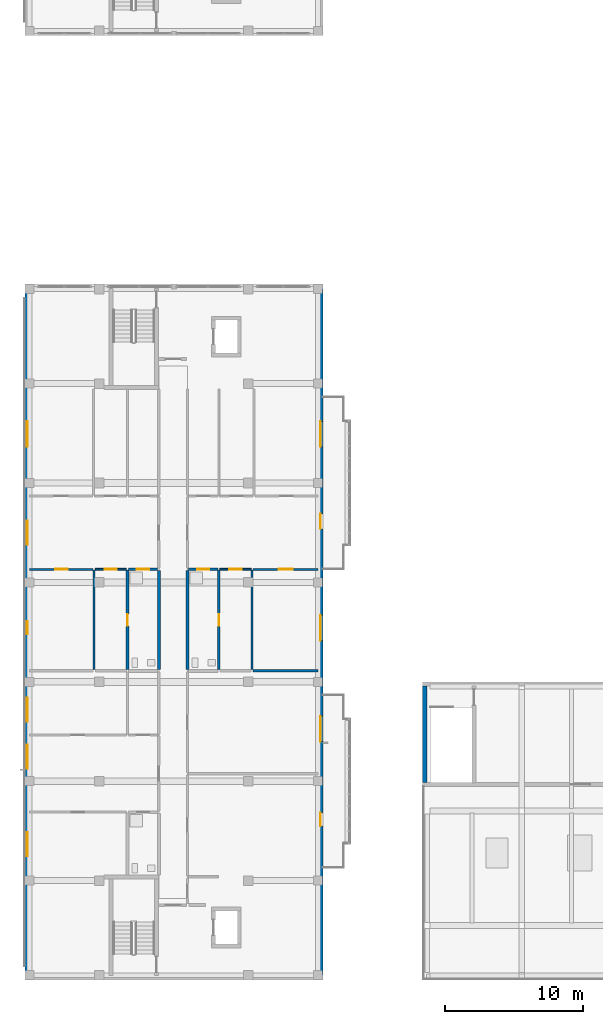
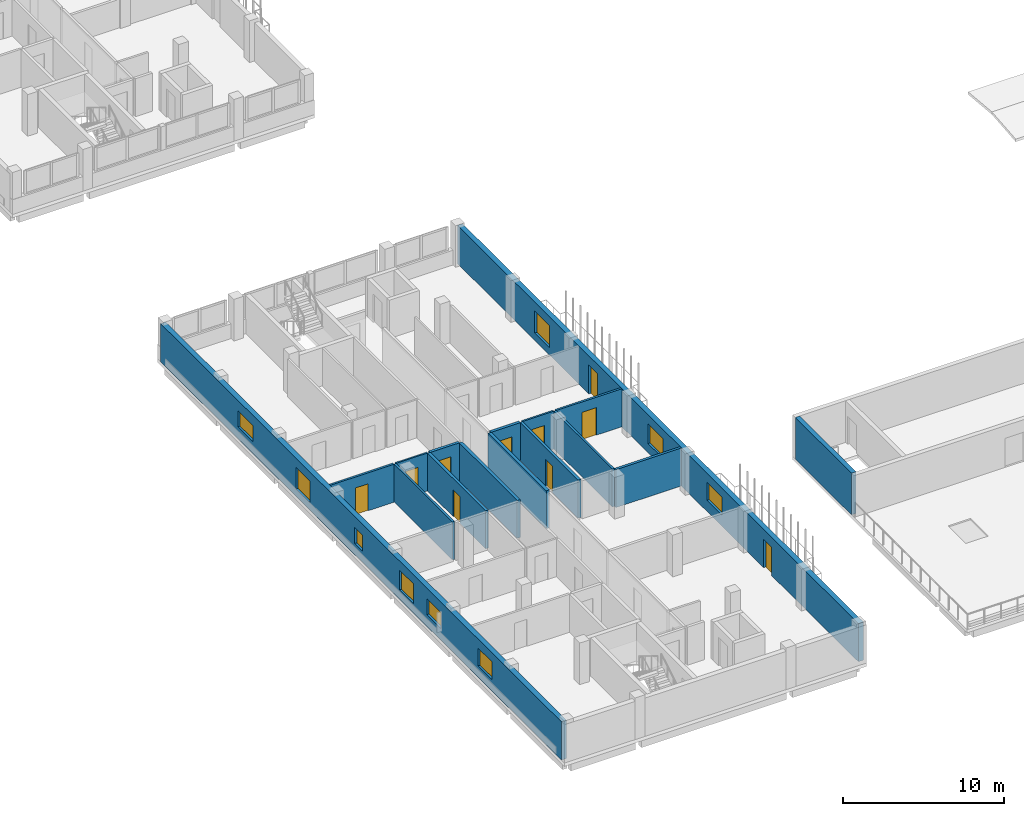
# One storey, part 26 of 56: 16 walls, 10 doors, 9 windows, 19 openings.
"""IFC4 building model written with IfcOpenShell, lengths in metres."""

from ifc_helpers import new_model, si_unit, derived_unit, direction, frame, frame_2d, origin, place, context, subcontext, project, spatial, rectangle, extrude, material, layer, layer_set, type_object, element, fill, save


model = new_model("IFC4")

# Units and contexts
model_context = context("Model", 3, precision=1e-05, world=origin(), true_north=direction((0.0, 1.0)))
body_context = subcontext(model_context, "Body", "Model", "MODEL_VIEW")
ifc_project = project(units=[si_unit("LENGTHUNIT", "METRE"), si_unit("AREAUNIT", "SQUARE_METRE"), si_unit("VOLUMEUNIT", "CUBIC_METRE"), si_unit("PLANEANGLEUNIT", "RADIAN"), si_unit("MASSUNIT", "GRAM", prefix="KILO"), derived_unit("THERMALTRANSMITTANCEUNIT", [(si_unit("MASSUNIT", "GRAM", prefix="KILO"), 1), (si_unit("TIMEUNIT", "SECOND"), -3), (si_unit("THERMODYNAMICTEMPERATUREUNIT", "KELVIN"), -1)])], contexts=[model_context])

# Site, building, storey
site_placement = place(None, origin())
site = spatial("IfcSite", under=ifc_project, at=site_placement, CompositionType="ELEMENT")
building_placement = place(site_placement, origin())
building = spatial("IfcBuilding", under=site, at=building_placement, Name="Ochrekiln Boulevard Commons", CompositionType="ELEMENT")
storey_placement = place(building_placement, frame((0.0, 0.0, 12.074951171875)))
storey = spatial("IfcBuildingStorey", under=building, at=storey_placement, Name="L03", CompositionType="ELEMENT", Elevation=12.074951171875)

# Wall, openings, windows
ifc_material_1 = material(Name="Iron-spot brown clinker brick masonry ASTM C216 Grade SW", Category="masonry")
ifc_layer_1 = layer(ifc_material_1, 0.364990234375)
ifc_layer_set_1 = layer_set([ifc_layer_1], Name="Iron-spot brown clinker brick masonry ASTM C216 Grade SW")
wall_type_1 = type_object("IfcWallType", Name="WL-EXT-IRON-365", PredefinedType="SOLIDWALL", material=ifc_layer_set_1)
wall_1_placement = place(storey_placement, frame((0.1826171875, 0.364990234375, 0.0), z_axis=(0.0, 0.0, 1.0), x_axis=(0.0, 1.0, 0.0)))
wall_1 = element("IfcWall", 1, at=wall_1_placement, inside=storey, type_object=wall_type_1, Name="Block D L03 W Exterior Wall", PredefinedType="SOLIDWALL", context=body_context, shape_type="SweptSolid", body=[
    extrude(rectangle(XDim=49.669921875, YDim=0.364990234375, at=frame_2d((24.8349609375, 0.0))), origin(), (0.0, 0.0, 1.0), 2.89013671875),
])
opening_1_placement = place(wall_1_placement, frame((14.93994140625, 0.0, 0.89990234375)))
opening_1 = element("IfcOpeningElement", 2, at=opening_1_placement, cuts=wall_1, Name="Opening W-36", PredefinedType="OPENING", context=body_context, shape_type="SweptSolid", body=[
    extrude(rectangle(XDim=1.719970703125, YDim=1.199951171875, at=frame_2d((0.85986328125, 0.60009765625))), frame((0.0, 0.1923828125, 0.0), z_axis=(0.0, -1.0, 0.0), x_axis=(1.0, 0.0, 0.0)), (0.0, 0.0, 1.0), 0.385009765625),
])
opening_2_placement = place(wall_1_placement, frame((8.612060546875, 0.0, 0.85498046875)))
opening_2 = element("IfcOpeningElement", 3, at=opening_2_placement, cuts=wall_1, Name="Opening W-37", PredefinedType="OPENING", context=body_context, shape_type="SweptSolid", body=[
    extrude(rectangle(XDim=1.719970703125, YDim=1.35009765625, at=frame_2d((0.85986328125, 0.675048828125))), frame((0.0, 0.1923828125, 0.0), z_axis=(0.0, -1.0, 0.0), x_axis=(1.0, 0.0, 0.0)), (0.0, 0.0, 1.0), 0.385009765625),
])
opening_3_placement = place(wall_1_placement, frame((18.35009765625, 0.0, 0.705078125)))
opening_3 = element("IfcOpeningElement", 4, at=opening_3_placement, cuts=wall_1, Name="Opening W-38", PredefinedType="OPENING", context=body_context, shape_type="SweptSolid", body=[
    extrude(rectangle(XDim=1.719970703125, YDim=1.5, at=frame_2d((0.85986328125, 0.75))), frame((0.0, 0.1923828125, 0.0), z_axis=(0.0, -1.0, 0.0), x_axis=(1.0, 0.0, 0.0)), (0.0, 0.0, 1.0), 0.385009765625),
])
opening_4_placement = place(wall_1_placement, frame((31.175048828125, 0.0, 0.554931640625)))
opening_4 = element("IfcOpeningElement", 5, at=opening_4_placement, cuts=wall_1, Name="Opening W-39", PredefinedType="OPENING", context=body_context, shape_type="SweptSolid", body=[
    extrude(rectangle(XDim=1.719970703125, YDim=1.64990234375, at=frame_2d((0.85986328125, 0.824951171875))), frame((0.0, 0.1923828125, 0.0), z_axis=(0.0, -1.0, 0.0), x_axis=(1.0, 0.0, 0.0)), (0.0, 0.0, 1.0), 0.385009765625),
])
opening_5_placement = place(wall_1_placement, frame((24.662109375, 0.0, 0.85009765625)))
opening_5 = element("IfcOpeningElement", 6, at=opening_5_placement, cuts=wall_1, Name="Opening W-01", PredefinedType="OPENING", context=body_context, shape_type="SweptSolid", body=[
    extrude(rectangle(XDim=0.949951171875, YDim=1.199951171875, at=frame_2d((0.47509765625, 0.60009765625))), frame((0.0, 0.1923828125, 0.0), z_axis=(0.0, -1.0, 0.0), x_axis=(1.0, 0.0, 0.0)), (0.0, 0.0, 1.0), 0.385009765625),
])
opening_6_placement = place(wall_1_placement, frame((38.2451171875, 0.0, 0.89990234375)))
opening_6 = element("IfcOpeningElement", 7, at=opening_6_placement, cuts=wall_1, Name="Opening W-41", PredefinedType="OPENING", context=body_context, shape_type="SweptSolid", body=[
    extrude(rectangle(XDim=1.85009765625, YDim=1.199951171875, at=frame_2d((0.925048828125, 0.60009765625))), frame((0.0, 0.1923828125, 0.0), z_axis=(0.0, -1.0, 0.0), x_axis=(1.0, 0.0, 0.0)), (0.0, 0.0, 1.0), 0.385009765625),
])
ifc_material_2 = material(Name="Thermally broken aluminium-clad oak frame", Category="aluminium")
window_type_1 = type_object("IfcWindowType", Name="WIN-EXT-01", PartitioningType="SINGLE_PANEL", PredefinedType="WINDOW", material=ifc_material_2)
window_1_placement = place(opening_5_placement, origin())
window_1 = element("IfcWindow", 8, at=window_1_placement, inside=storey, type_object=window_type_1, Name="Block D L03 Punched Masonry Window W-01", OverallHeight=1.199951171875, OverallWidth=0.949951171875, PartitioningType="SINGLE_PANEL", PredefinedType="WINDOW", context=body_context, shape_type="SweptSolid", body=[
    extrude(rectangle(XDim=0.949951171875, YDim=1.199951171875, at=frame_2d((0.47509765625, 0.60009765625))), frame((0.0, 0.030029296875, 0.0), z_axis=(0.0, -1.0, 0.0), x_axis=(1.0, 0.0, 0.0)), (0.0, 0.0, 1.0), 0.06005859375),
])
fill(opening_5, window_1)
window_type_2 = type_object("IfcWindowType", Name="WIN-EXT-36", PartitioningType="DOUBLE_PANEL_VERTICAL", PredefinedType="WINDOW", material=ifc_material_2)
window_2_placement = place(opening_1_placement, origin())
window_2 = element("IfcWindow", 9, at=window_2_placement, inside=storey, type_object=window_type_2, Name="Block D L03 Punched Masonry Window W-36", OverallHeight=1.199951171875, OverallWidth=1.719970703125, PartitioningType="DOUBLE_PANEL_VERTICAL", PredefinedType="WINDOW", context=body_context, shape_type="SweptSolid", body=[
    extrude(rectangle(XDim=1.719970703125, YDim=1.199951171875, at=frame_2d((0.85986328125, 0.60009765625))), frame((0.0, 0.030029296875, 0.0), z_axis=(0.0, -1.0, 0.0), x_axis=(1.0, 0.0, 0.0)), (0.0, 0.0, 1.0), 0.06005859375),
])
fill(opening_1, window_2)
window_type_3 = type_object("IfcWindowType", Name="WIN-EXT-37", PartitioningType="DOUBLE_PANEL_VERTICAL", PredefinedType="WINDOW", material=ifc_material_2)
window_3_placement = place(opening_2_placement, origin())
window_3 = element("IfcWindow", 10, at=window_3_placement, inside=storey, type_object=window_type_3, Name="Block D L03 Punched Masonry Window W-37", OverallHeight=1.35009765625, OverallWidth=1.719970703125, PartitioningType="DOUBLE_PANEL_VERTICAL", PredefinedType="WINDOW", context=body_context, shape_type="SweptSolid", body=[
    extrude(rectangle(XDim=1.719970703125, YDim=1.35009765625, at=frame_2d((0.85986328125, 0.675048828125))), frame((0.0, 0.030029296875, 0.0), z_axis=(0.0, -1.0, 0.0), x_axis=(1.0, 0.0, 0.0)), (0.0, 0.0, 1.0), 0.06005859375),
])
fill(opening_2, window_3)
window_type_4 = type_object("IfcWindowType", Name="WIN-EXT-38", PartitioningType="DOUBLE_PANEL_VERTICAL", PredefinedType="WINDOW", material=ifc_material_2)
window_4_placement = place(opening_3_placement, origin())
window_4 = element("IfcWindow", 11, at=window_4_placement, inside=storey, type_object=window_type_4, Name="Block D L03 Punched Masonry Window W-38", OverallHeight=1.5, OverallWidth=1.719970703125, PartitioningType="DOUBLE_PANEL_VERTICAL", PredefinedType="WINDOW", context=body_context, shape_type="SweptSolid", body=[
    extrude(rectangle(XDim=1.719970703125, YDim=1.5, at=frame_2d((0.85986328125, 0.75))), frame((0.0, 0.030029296875, 0.0), z_axis=(0.0, -1.0, 0.0), x_axis=(1.0, 0.0, 0.0)), (0.0, 0.0, 1.0), 0.06005859375),
])
fill(opening_3, window_4)
window_type_5 = type_object("IfcWindowType", Name="WIN-EXT-39", PartitioningType="DOUBLE_PANEL_VERTICAL", PredefinedType="WINDOW", material=ifc_material_2)
window_5_placement = place(opening_4_placement, origin())
window_5 = element("IfcWindow", 12, at=window_5_placement, inside=storey, type_object=window_type_5, Name="Block D L03 Punched Masonry Window W-39", OverallHeight=1.64990234375, OverallWidth=1.719970703125, PartitioningType="DOUBLE_PANEL_VERTICAL", PredefinedType="WINDOW", context=body_context, shape_type="SweptSolid", body=[
    extrude(rectangle(XDim=1.719970703125, YDim=1.64990234375, at=frame_2d((0.85986328125, 0.824951171875))), frame((0.0, 0.030029296875, 0.0), z_axis=(0.0, -1.0, 0.0), x_axis=(1.0, 0.0, 0.0)), (0.0, 0.0, 1.0), 0.06005859375),
])
fill(opening_4, window_5)
window_type_6 = type_object("IfcWindowType", Name="WIN-EXT-41", PartitioningType="DOUBLE_PANEL_VERTICAL", PredefinedType="WINDOW", material=ifc_material_2)
window_6_placement = place(opening_6_placement, origin())
window_6 = element("IfcWindow", 13, at=window_6_placement, inside=storey, type_object=window_type_6, Name="Block D L03 Punched Masonry Window W-41", OverallHeight=1.199951171875, OverallWidth=1.85009765625, PartitioningType="DOUBLE_PANEL_VERTICAL", PredefinedType="WINDOW", context=body_context, shape_type="SweptSolid", body=[
    extrude(rectangle(XDim=1.85009765625, YDim=1.199951171875, at=frame_2d((0.925048828125, 0.60009765625))), frame((0.0, 0.030029296875, 0.0), z_axis=(0.0, -1.0, 0.0), x_axis=(1.0, 0.0, 0.0)), (0.0, 0.0, 1.0), 0.06005859375),
])
fill(opening_6, window_6)

# Wall, openings, doors, windows
wall_2_placement = place(storey_placement, frame((21.41748046875, 0.364990234375, 0.0), z_axis=(0.0, 0.0, 1.0), x_axis=(0.0, 1.0, 0.0)))
wall_2 = element("IfcWall", 14, at=wall_2_placement, inside=storey, type_object=wall_type_1, Name="Block D L03 E Exterior Wall", PredefinedType="SOLIDWALL", context=body_context, shape_type="SweptSolid", body=[
    extrude(rectangle(XDim=49.669921875, YDim=0.364990234375, at=frame_2d((24.8349609375, 0.0))), origin(), (0.0, 0.0, 1.0), 2.89013671875),
])
opening_7_placement = place(wall_2_placement, frame((10.784912109375, 0.0, 0.0)))
opening_7 = element("IfcOpeningElement", 15, at=opening_7_placement, cuts=wall_2, Name="Opening D-L03-BL043", PredefinedType="OPENING", context=body_context, shape_type="SweptSolid", body=[
    extrude(rectangle(XDim=0.949951171875, YDim=2.14990234375, at=frame_2d((0.47509765625, 1.074951171875))), frame((0.0, 0.1923828125, 0.0), z_axis=(0.0, -1.0, 0.0), x_axis=(1.0, 0.0, 0.0)), (0.0, 0.0, 1.0), 0.385009765625),
])
opening_8_placement = place(wall_2_placement, frame((16.89306640625, 0.0, 0.85498046875)))
opening_8 = element("IfcOpeningElement", 16, at=opening_8_placement, cuts=wall_2, Name="Opening W-42", PredefinedType="OPENING", context=body_context, shape_type="SweptSolid", body=[
    extrude(rectangle(XDim=1.85009765625, YDim=1.35009765625, at=frame_2d((0.925048828125, 0.675048828125))), frame((0.0, 0.1923828125, 0.0), z_axis=(0.0, -1.0, 0.0), x_axis=(1.0, 0.0, 0.0)), (0.0, 0.0, 1.0), 0.385009765625),
])
opening_9_placement = place(wall_2_placement, frame((32.320068359375, 0.0, 0.0)))
opening_9 = element("IfcOpeningElement", 17, at=opening_9_placement, cuts=wall_2, Name="Opening D-L03-BL044", PredefinedType="OPENING", context=body_context, shape_type="SweptSolid", body=[
    extrude(rectangle(XDim=1.080078125, YDim=2.179931640625, at=frame_2d((0.5400390625, 1.08984375))), frame((0.0, 0.1923828125, 0.0), z_axis=(0.0, -1.0, 0.0), x_axis=(1.0, 0.0, 0.0)), (0.0, 0.0, 1.0), 0.385009765625),
])
opening_10_placement = place(wall_2_placement, frame((24.2119140625, 0.0, 0.705078125)))
opening_10 = element("IfcOpeningElement", 18, at=opening_10_placement, cuts=wall_2, Name="Opening W-43", PredefinedType="OPENING", context=body_context, shape_type="SweptSolid", body=[
    extrude(rectangle(XDim=1.85009765625, YDim=1.5, at=frame_2d((0.925048828125, 0.75))), frame((0.0, 0.1923828125, 0.0), z_axis=(0.0, -1.0, 0.0), x_axis=(1.0, 0.0, 0.0)), (0.0, 0.0, 1.0), 0.385009765625),
])
opening_11_placement = place(wall_2_placement, frame((38.2451171875, 0.0, 0.554931640625)))
opening_11 = element("IfcOpeningElement", 19, at=opening_11_placement, cuts=wall_2, Name="Opening W-44", PredefinedType="OPENING", context=body_context, shape_type="SweptSolid", body=[
    extrude(rectangle(XDim=1.85009765625, YDim=1.64990234375, at=frame_2d((0.925048828125, 0.824951171875))), frame((0.0, 0.1923828125, 0.0), z_axis=(0.0, -1.0, 0.0), x_axis=(1.0, 0.0, 0.0)), (0.0, 0.0, 1.0), 0.385009765625),
])
door_type_1 = type_object("IfcDoorType", Name="DR-EXT-BAL-095", OperationType="NOTDEFINED", PredefinedType="DOOR", material=ifc_material_2)
door_1_placement = place(opening_7_placement, frame((0.949951171875, 0.0, 0.0), z_axis=(0.0, 0.0, 1.0), x_axis=(-1.0, 0.0, 0.0)))
door_1 = element("IfcDoor", 20, at=door_1_placement, inside=storey, type_object=door_type_1, Name="Block D L03 Glazed Balcony Patio Door", OperationType="SINGLE_SWING_RIGHT", OverallHeight=2.14990234375, OverallWidth=0.949951171875, PredefinedType="DOOR", context=body_context, shape_type="SweptSolid", body=[
    extrude(rectangle(XDim=0.949951171875, YDim=2.14990234375, at=frame_2d((0.47509765625, 1.074951171875))), frame((0.0, 0.02490234375, 0.0), z_axis=(0.0, -1.0, 0.0), x_axis=(1.0, 0.0, 0.0)), (0.0, 0.0, 1.0), 0.050048828125),
])
fill(opening_7, door_1)
door_type_2 = type_object("IfcDoorType", Name="DR-EXT-BAL-108", OperationType="NOTDEFINED", PredefinedType="DOOR", material=ifc_material_2)
door_2_placement = place(opening_9_placement, frame((1.080078125, 0.0, 0.0), z_axis=(0.0, 0.0, 1.0), x_axis=(-1.0, 0.0, 0.0)))
door_2 = element("IfcDoor", 21, at=door_2_placement, inside=storey, type_object=door_type_2, Name="Block D L03 Glazed Balcony Patio Door", OperationType="SINGLE_SWING_LEFT", OverallHeight=2.179931640625, OverallWidth=1.080078125, PredefinedType="DOOR", context=body_context, shape_type="SweptSolid", body=[
    extrude(rectangle(XDim=1.080078125, YDim=2.179931640625, at=frame_2d((0.5400390625, 1.08984375))), frame((0.0, 0.02490234375, 0.0), z_axis=(0.0, -1.0, 0.0), x_axis=(1.0, 0.0, 0.0)), (0.0, 0.0, 1.0), 0.050048828125),
])
fill(opening_9, door_2)
window_type_7 = type_object("IfcWindowType", Name="WIN-EXT-42", PartitioningType="DOUBLE_PANEL_VERTICAL", PredefinedType="WINDOW", material=ifc_material_2)
window_7_placement = place(opening_8_placement, origin())
window_7 = element("IfcWindow", 22, at=window_7_placement, inside=storey, type_object=window_type_7, Name="Block D L03 Punched Masonry Window W-42", OverallHeight=1.35009765625, OverallWidth=1.85009765625, PartitioningType="DOUBLE_PANEL_VERTICAL", PredefinedType="WINDOW", context=body_context, shape_type="SweptSolid", body=[
    extrude(rectangle(XDim=1.85009765625, YDim=1.35009765625, at=frame_2d((0.925048828125, 0.675048828125))), frame((0.0, 0.030029296875, 0.0), z_axis=(0.0, -1.0, 0.0), x_axis=(1.0, 0.0, 0.0)), (0.0, 0.0, 1.0), 0.06005859375),
])
fill(opening_8, window_7)
window_type_8 = type_object("IfcWindowType", Name="WIN-EXT-43", PartitioningType="DOUBLE_PANEL_VERTICAL", PredefinedType="WINDOW", material=ifc_material_2)
window_8_placement = place(opening_10_placement, origin())
window_8 = element("IfcWindow", 23, at=window_8_placement, inside=storey, type_object=window_type_8, Name="Block D L03 Punched Masonry Window W-43", OverallHeight=1.5, OverallWidth=1.85009765625, PartitioningType="DOUBLE_PANEL_VERTICAL", PredefinedType="WINDOW", context=body_context, shape_type="SweptSolid", body=[
    extrude(rectangle(XDim=1.85009765625, YDim=1.5, at=frame_2d((0.925048828125, 0.75))), frame((0.0, 0.030029296875, 0.0), z_axis=(0.0, -1.0, 0.0), x_axis=(1.0, 0.0, 0.0)), (0.0, 0.0, 1.0), 0.06005859375),
])
fill(opening_10, window_8)
window_type_9 = type_object("IfcWindowType", Name="WIN-EXT-44", PartitioningType="DOUBLE_PANEL_VERTICAL", PredefinedType="WINDOW", material=ifc_material_2)
window_9_placement = place(opening_11_placement, origin())
window_9 = element("IfcWindow", 24, at=window_9_placement, inside=storey, type_object=window_type_9, Name="Block D L03 Punched Masonry Window W-44", OverallHeight=1.64990234375, OverallWidth=1.85009765625, PartitioningType="DOUBLE_PANEL_VERTICAL", PredefinedType="WINDOW", context=body_context, shape_type="SweptSolid", body=[
    extrude(rectangle(XDim=1.85009765625, YDim=1.64990234375, at=frame_2d((0.925048828125, 0.824951171875))), frame((0.0, 0.030029296875, 0.0), z_axis=(0.0, -1.0, 0.0), x_axis=(1.0, 0.0, 0.0)), (0.0, 0.0, 1.0), 0.06005859375),
])
fill(opening_11, window_9)

# Wall
ifc_material_3 = material(Name="Desert ochre clinker brick masonry ASTM C216 Grade SW", Category="masonry")
ifc_layer_2 = layer(ifc_material_3, 0.320068359375)
ifc_layer_set_2 = layer_set([ifc_layer_2], Name="Desert ochre clinker brick masonry ASTM C216 Grade SW")
wall_type_2 = type_object("IfcWallType", Name="WL-EXT-OCHRE-320", PredefinedType="SOLIDWALL", material=ifc_layer_set_2)
wall_3_placement = place(storey_placement, frame((28.9599609375, 14.320068359375, 0.0), z_axis=(0.0, 0.0, 1.0), x_axis=(0.0, 1.0, 0.0)))
element("IfcWall", 25, at=wall_3_placement, inside=storey, type_object=wall_type_2, Name="West Boulevard Arcade L03 Roof Pavilion W Exterior Wall", PredefinedType="SOLIDWALL", context=body_context, shape_type="SweptSolid", body=[
    extrude(rectangle(XDim=6.9599609375, YDim=0.320068359375, at=frame_2d((3.47998046875, 0.0))), origin(), (0.0, 0.0, 1.0), 3.150146484375),
])

# Wall, opening, door
ifc_material_4 = material(Name="Moisture-resistant cementitious tile backer wall")
ifc_layer_3 = layer(ifc_material_4, 0.199951171875)
ifc_layer_set_3 = layer_set([ifc_layer_3], Name="Moisture-resistant cementitious tile backer wall")
wall_type_3 = type_object("IfcWallType", Name="WL-PLM-200", PredefinedType="PLUMBINGWALL", material=ifc_layer_set_3)
wall_4_placement = place(storey_placement, frame((7.52001953125, 29.75, 0.0), z_axis=(0.0, 0.0, 1.0), x_axis=(1.0, 0.0, 0.0)))
wall_4 = element("IfcWall", 26, at=wall_4_placement, inside=storey, type_object=wall_type_3, Name="L03 Interior Wall W-PW200", PredefinedType="PLUMBINGWALL", context=body_context, shape_type="SweptSolid", body=[
    extrude(rectangle(XDim=2.10791015625, YDim=0.199951171875, at=frame_2d((1.053955078125, 0.0))), origin(), (0.0, 0.0, 1.0), 2.8701171875),
])
opening_12_placement = place(wall_4_placement, frame((0.60498046875, 0.0, 0.0)))
opening_12 = element("IfcOpeningElement", 27, at=opening_12_placement, cuts=wall_4, Name="Opening D-L03-541", PredefinedType="OPENING", context=body_context, shape_type="SweptSolid", body=[
    extrude(rectangle(XDim=0.889892578125, YDim=2.030029296875, at=frame_2d((0.44482421875, 1.01513671875))), frame((0.0, 0.10986328125, 0.0), z_axis=(0.0, -1.0, 0.0), x_axis=(1.0, 0.0, 0.0)), (0.0, 0.0, 1.0), 0.219970703125),
])
ifc_material_5 = material(Name="Solid core architectural oak door leaf")
door_type_3 = type_object("IfcDoorType", Name="DR-INT-BTH-089", OperationType="NOTDEFINED", PredefinedType="DOOR", material=ifc_material_5)
door_3_placement = place(opening_12_placement, frame((0.889892578125, 0.0, 0.0), z_axis=(0.0, 0.0, 1.0), x_axis=(-1.0, 0.0, 0.0)))
door_3 = element("IfcDoor", 28, at=door_3_placement, inside=storey, type_object=door_type_3, Name="L03 Interior Door to Apartment Bathroom", OperationType="SINGLE_SWING_LEFT", OverallHeight=2.030029296875, OverallWidth=0.889892578125, PredefinedType="DOOR", context=body_context, shape_type="SweptSolid", body=[
    extrude(rectangle(XDim=0.889892578125, YDim=2.030029296875, at=frame_2d((0.44482421875, 1.01513671875))), frame((0.0, 0.02490234375, 0.0), z_axis=(0.0, -1.0, 0.0), x_axis=(1.0, 0.0, 0.0)), (0.0, 0.0, 1.0), 0.050048828125),
])
fill(opening_12, door_3)

wall_5_placement = place(storey_placement, frame((7.43994140625, 22.47412109375, 0.0), z_axis=(0.0, 0.0, 1.0), x_axis=(0.0, 1.0, 0.0)))
wall_5 = element("IfcWall", 29, at=wall_5_placement, inside=storey, type_object=wall_type_3, Name="L03 Interior Wall W-PW200", PredefinedType="PLUMBINGWALL", context=body_context, shape_type="SweptSolid", body=[
    extrude(rectangle(XDim=7.2158203125, YDim=0.199951171875, at=frame_2d((3.60791015625, 0.0))), origin(), (0.0, 0.0, 1.0), 2.8701171875),
])
opening_13_placement = place(wall_5_placement, frame((3.173095703125, 0.0, 0.0)))
opening_13 = element("IfcOpeningElement", 30, at=opening_13_placement, cuts=wall_5, Name="Opening D-L03-547", PredefinedType="OPENING", context=body_context, shape_type="SweptSolid", body=[
    extrude(rectangle(XDim=0.85009765625, YDim=2.010009765625, at=frame_2d((0.425048828125, 1.0048828125))), frame((0.0, 0.10986328125, 0.0), z_axis=(0.0, -1.0, 0.0), x_axis=(1.0, 0.0, 0.0)), (0.0, 0.0, 1.0), 0.219970703125),
])
door_type_4 = type_object("IfcDoorType", Name="DR-INT-KIT-085", OperationType="NOTDEFINED", PredefinedType="DOOR", material=ifc_material_5)
door_4_placement = place(opening_13_placement, frame((0.85009765625, 0.0, 0.0), z_axis=(0.0, 0.0, 1.0), x_axis=(-1.0, 0.0, 0.0)))
door_4 = element("IfcDoor", 31, at=door_4_placement, inside=storey, type_object=door_type_4, Name="L03 Interior Door to Apartment Bathroom", OperationType="SINGLE_SWING_LEFT", OverallHeight=2.010009765625, OverallWidth=0.85009765625, PredefinedType="DOOR", context=body_context, shape_type="SweptSolid", body=[
    extrude(rectangle(XDim=0.85009765625, YDim=2.010009765625, at=frame_2d((0.425048828125, 1.0048828125))), frame((0.0, 0.02490234375, 0.0), z_axis=(0.0, -1.0, 0.0), x_axis=(1.0, 0.0, 0.0)), (0.0, 0.0, 1.0), 0.050048828125),
])
fill(opening_13, door_4)

wall_6_placement = place(storey_placement, frame((11.8720703125, 29.75, 0.0), z_axis=(0.0, 0.0, 1.0), x_axis=(1.0, 0.0, 0.0)))
wall_6 = element("IfcWall", 32, at=wall_6_placement, inside=storey, type_object=wall_type_3, Name="L03 Interior Wall W-PW200", PredefinedType="PLUMBINGWALL", context=body_context, shape_type="SweptSolid", body=[
    extrude(rectangle(XDim=2.10791015625, YDim=0.199951171875, at=frame_2d((1.053955078125, 0.0))), origin(), (0.0, 0.0, 1.0), 2.8701171875),
])
opening_14_placement = place(wall_6_placement, frame((0.6279296875, 0.0, 0.0)))
opening_14 = element("IfcOpeningElement", 33, at=opening_14_placement, cuts=wall_6, Name="Opening D-L03-548", PredefinedType="OPENING", context=body_context, shape_type="SweptSolid", body=[
    extrude(rectangle(XDim=0.860107421875, YDim=2.0, at=frame_2d((0.43017578125, 1.0))), frame((0.0, 0.10986328125, 0.0), z_axis=(0.0, -1.0, 0.0), x_axis=(1.0, 0.0, 0.0)), (0.0, 0.0, 1.0), 0.219970703125),
])
door_type_5 = type_object("IfcDoorType", Name="DR-INT-BTH-086", OperationType="NOTDEFINED", PredefinedType="DOOR", material=ifc_material_5)
door_5_placement = place(opening_14_placement, frame((0.860107421875, 0.0, 0.0), z_axis=(0.0, 0.0, 1.0), x_axis=(-1.0, 0.0, 0.0)))
door_5 = element("IfcDoor", 34, at=door_5_placement, inside=storey, type_object=door_type_5, Name="L03 Interior Door to Apartment Bathroom", OperationType="SINGLE_SWING_RIGHT", OverallHeight=2.0, OverallWidth=0.860107421875, PredefinedType="DOOR", context=body_context, shape_type="SweptSolid", body=[
    extrude(rectangle(XDim=0.860107421875, YDim=2.0, at=frame_2d((0.43017578125, 1.0))), frame((0.0, 0.02490234375, 0.0), z_axis=(0.0, -1.0, 0.0), x_axis=(1.0, 0.0, 0.0)), (0.0, 0.0, 1.0), 0.050048828125),
])
fill(opening_14, door_5)

wall_7_placement = place(storey_placement, frame((14.06005859375, 22.47412109375, 0.0), z_axis=(0.0, 0.0, 1.0), x_axis=(0.0, 1.0, 0.0)))
wall_7 = element("IfcWall", 35, at=wall_7_placement, inside=storey, type_object=wall_type_3, Name="L03 Interior Wall W-PW200", PredefinedType="PLUMBINGWALL", context=body_context, shape_type="SweptSolid", body=[
    extrude(rectangle(XDim=7.2158203125, YDim=0.199951171875, at=frame_2d((3.60791015625, 0.0))), origin(), (0.0, 0.0, 1.0), 2.8701171875),
])
opening_15_placement = place(wall_7_placement, frame((3.173095703125, 0.0, 0.0)))
opening_15 = element("IfcOpeningElement", 36, at=opening_15_placement, cuts=wall_7, Name="Opening D-L03-554", PredefinedType="OPENING", context=body_context, shape_type="SweptSolid", body=[
    extrude(rectangle(XDim=0.85009765625, YDim=2.010009765625, at=frame_2d((0.425048828125, 1.0048828125))), frame((0.0, 0.10986328125, 0.0), z_axis=(0.0, -1.0, 0.0), x_axis=(1.0, 0.0, 0.0)), (0.0, 0.0, 1.0), 0.219970703125),
])
door_6_placement = place(opening_15_placement, origin())
door_6 = element("IfcDoor", 37, at=door_6_placement, inside=storey, type_object=door_type_4, Name="L03 Interior Door to Apartment Bathroom", OperationType="SINGLE_SWING_RIGHT", OverallHeight=2.010009765625, OverallWidth=0.85009765625, PredefinedType="DOOR", context=body_context, shape_type="SweptSolid", body=[
    extrude(rectangle(XDim=0.85009765625, YDim=2.010009765625, at=frame_2d((0.425048828125, 1.0048828125))), frame((0.0, 0.02490234375, 0.0), z_axis=(0.0, -1.0, 0.0), x_axis=(1.0, 0.0, 0.0)), (0.0, 0.0, 1.0), 0.050048828125),
])
fill(opening_15, door_6)

# Walls
ifc_layer_4 = layer(ifc_material_4, 0.219970703125)
ifc_layer_set_4 = layer_set([ifc_layer_4], Name="Moisture-resistant cementitious tile backer wall")
wall_type_4 = type_object("IfcWallType", Name="WL-PLM-220", PredefinedType="PLUMBINGWALL", material=ifc_layer_set_4)
for number, where, z_axis, x_axis, name in (
    (38, (9.7099609375, 22.47412109375, 0.0), (0.0, 0.0, 1.0), (0.0, 1.0, 0.0), "L03 Interior Wall W-PW220"),
    (39, (11.7900390625, 22.47412109375, 0.0), (0.0, 0.0, 1.0), (0.0, 1.0, 0.0), "L03 Interior Wall W-PW220"),
):
    element("IfcWall", number, at=place(storey_placement, frame(where, z_axis=z_axis, x_axis=x_axis)), inside=storey, type_object=wall_type_4, Name=name, PredefinedType="PLUMBINGWALL", context=body_context, shape_type="SweptSolid", body=[
        extrude(rectangle(XDim=7.19580078125, YDim=0.219970703125, at=frame_2d((3.597900390625, 0.0))), origin(), (0.0, 0.0, 1.0), 2.8701171875),
    ])
ifc_material_6 = material(Name="Fire-rated Type X gypsum board on steel studs", Category="steel")
ifc_layer_5 = layer(ifc_material_6, 0.179931640625)
ifc_layer_set_5 = layer_set([ifc_layer_5], Name="Fire-rated Type X gypsum board on steel studs")
wall_type_5 = type_object("IfcWallType", Name="WL-PT-DEM-180", PredefinedType="PARTITIONING", material=ifc_layer_set_5)
wall_8_placement = place(storey_placement, frame((16.550048828125, 22.384033203125, 0.0), z_axis=(0.0, 0.0, 1.0), x_axis=(1.0, 0.0, 0.0)))
element("IfcWall", 40, at=wall_8_placement, inside=storey, type_object=wall_type_5, Name="L03 Interior Wall W-PD180", PredefinedType="PARTITIONING", context=body_context, shape_type="SweptSolid", body=[
    extrude(rectangle(XDim=4.699951171875, YDim=0.179931640625, at=frame_2d((2.35009765625, 0.0))), origin(), (0.0, 0.0, 1.0), 2.8701171875),
])

# Wall, opening, door
ifc_layer_6 = layer(ifc_material_6, 0.1201171875)
ifc_layer_set_6 = layer_set([ifc_layer_6], Name="Fire-rated Type X gypsum board on steel studs")
wall_type_6 = type_object("IfcWallType", Name="WL-PT-LGT-120", PredefinedType="PARTITIONING", material=ifc_layer_set_6)
wall_9_placement = place(storey_placement, frame((5.110107421875, 29.75, 0.0), z_axis=(0.0, 0.0, 1.0), x_axis=(1.0, 0.0, 0.0)))
wall_9 = element("IfcWall", 41, at=wall_9_placement, inside=storey, type_object=wall_type_6, Name="L03 Interior Wall W-PL120", PredefinedType="PARTITIONING", context=body_context, shape_type="SweptSolid", body=[
    extrude(rectangle(XDim=2.25, YDim=0.1201171875, at=frame_2d((1.125, 0.0))), origin(), (0.0, 0.0, 1.0), 2.8701171875),
])
opening_16_placement = place(wall_9_placement, frame((0.68505859375, 0.0, 0.0)))
opening_16 = element("IfcOpeningElement", 42, at=opening_16_placement, cuts=wall_9, Name="Opening D-L03-544", PredefinedType="OPENING", context=body_context, shape_type="SweptSolid", body=[
    extrude(rectangle(XDim=0.8798828125, YDim=2.02001953125, at=frame_2d((0.43994140625, 1.010009765625))), frame((0.0, 0.070068359375, 0.0), z_axis=(0.0, -1.0, 0.0), x_axis=(1.0, 0.0, 0.0)), (0.0, 0.0, 1.0), 0.14013671875),
])
door_type_6 = type_object("IfcDoorType", Name="DR-INT-KIT-088", OperationType="NOTDEFINED", PredefinedType="DOOR", material=ifc_material_5)
door_7_placement = place(opening_16_placement, frame((0.8798828125, 0.0, 0.0), z_axis=(0.0, 0.0, 1.0), x_axis=(-1.0, 0.0, 0.0)))
door_7 = element("IfcDoor", 43, at=door_7_placement, inside=storey, type_object=door_type_6, Name="L03 Interior Door to Apartment Walk-In Wardrobe", OperationType="SINGLE_SWING_RIGHT", OverallHeight=2.02001953125, OverallWidth=0.8798828125, PredefinedType="DOOR", context=body_context, shape_type="SweptSolid", body=[
    extrude(rectangle(XDim=0.8798828125, YDim=2.02001953125, at=frame_2d((0.43994140625, 1.010009765625))), frame((0.0, 0.02490234375, 0.0), z_axis=(0.0, -1.0, 0.0), x_axis=(1.0, 0.0, 0.0)), (0.0, 0.0, 1.0), 0.050048828125),
])
fill(opening_16, door_7)

wall_10_placement = place(storey_placement, frame((14.139892578125, 29.75, 0.0), z_axis=(0.0, 0.0, 1.0), x_axis=(1.0, 0.0, 0.0)))
wall_10 = element("IfcWall", 44, at=wall_10_placement, inside=storey, type_object=wall_type_6, Name="L03 Interior Wall W-PL120", PredefinedType="PARTITIONING", context=body_context, shape_type="SweptSolid", body=[
    extrude(rectangle(XDim=2.25, YDim=0.1201171875, at=frame_2d((1.125, 0.0))), origin(), (0.0, 0.0, 1.0), 2.8701171875),
])
opening_17_placement = place(wall_10_placement, frame((0.68505859375, 0.0, 0.0)))
opening_17 = element("IfcOpeningElement", 45, at=opening_17_placement, cuts=wall_10, Name="Opening D-L03-551", PredefinedType="OPENING", context=body_context, shape_type="SweptSolid", body=[
    extrude(rectangle(XDim=0.8798828125, YDim=2.02001953125, at=frame_2d((0.43994140625, 1.010009765625))), frame((0.0, 0.070068359375, 0.0), z_axis=(0.0, -1.0, 0.0), x_axis=(1.0, 0.0, 0.0)), (0.0, 0.0, 1.0), 0.14013671875),
])
door_8_placement = place(opening_17_placement, frame((0.8798828125, 0.0, 0.0), z_axis=(0.0, 0.0, 1.0), x_axis=(-1.0, 0.0, 0.0)))
door_8 = element("IfcDoor", 46, at=door_8_placement, inside=storey, type_object=door_type_6, Name="L03 Interior Door to Apartment Walk-In Wardrobe", OperationType="SINGLE_SWING_LEFT", OverallHeight=2.02001953125, OverallWidth=0.8798828125, PredefinedType="DOOR", context=body_context, shape_type="SweptSolid", body=[
    extrude(rectangle(XDim=0.8798828125, YDim=2.02001953125, at=frame_2d((0.43994140625, 1.010009765625))), frame((0.0, 0.02490234375, 0.0), z_axis=(0.0, -1.0, 0.0), x_axis=(1.0, 0.0, 0.0)), (0.0, 0.0, 1.0), 0.050048828125),
])
fill(opening_17, door_8)

ifc_layer_7 = layer(ifc_material_6, 0.14990234375)
ifc_layer_set_7 = layer_set([ifc_layer_7], Name="Fire-rated Type X gypsum board on steel studs")
wall_type_7 = type_object("IfcWallType", Name="WL-PT-STD-150", PredefinedType="PARTITIONING", material=ifc_layer_set_7)
wall_11_placement = place(storey_placement, frame((0.35009765625, 29.75, 0.0), z_axis=(0.0, 0.0, 1.0), x_axis=(1.0, 0.0, 0.0)))
wall_11 = element("IfcWall", 47, at=wall_11_placement, inside=storey, type_object=wall_type_7, Name="L03 Interior Wall W-PS150", PredefinedType="PARTITIONING", context=body_context, shape_type="SweptSolid", body=[
    extrude(rectangle(XDim=4.599853515625, YDim=0.14990234375, at=frame_2d((2.2998046875, 0.0))), origin(), (0.0, 0.0, 1.0), 2.8701171875),
])
opening_18_placement = place(wall_11_placement, frame((1.85009765625, 0.0, 0.0)))
opening_18 = element("IfcOpeningElement", 48, at=opening_18_placement, cuts=wall_11, Name="Opening D-L03-543", PredefinedType="OPENING", context=body_context, shape_type="SweptSolid", body=[
    extrude(rectangle(XDim=0.89990234375, YDim=2.0400390625, at=frame_2d((0.449951171875, 1.02001953125))), frame((0.0, 0.0849609375, 0.0), z_axis=(0.0, -1.0, 0.0), x_axis=(1.0, 0.0, 0.0)), (0.0, 0.0, 1.0), 0.169921875),
])
door_type_7 = type_object("IfcDoorType", Name="DR-INT-BED-090", OperationType="NOTDEFINED", PredefinedType="DOOR", material=ifc_material_5)
door_9_placement = place(opening_18_placement, frame((0.89990234375, 0.0, 0.0), z_axis=(0.0, 0.0, 1.0), x_axis=(-1.0, 0.0, 0.0)))
door_9 = element("IfcDoor", 49, at=door_9_placement, inside=storey, type_object=door_type_7, Name="L03 Interior Door to Primary Apartment Bedroom", OperationType="SINGLE_SWING_LEFT", OverallHeight=2.0400390625, OverallWidth=0.89990234375, PredefinedType="DOOR", context=body_context, shape_type="SweptSolid", body=[
    extrude(rectangle(XDim=0.89990234375, YDim=2.0400390625, at=frame_2d((0.449951171875, 1.02001953125))), frame((0.0, 0.02490234375, 0.0), z_axis=(0.0, -1.0, 0.0), x_axis=(1.0, 0.0, 0.0)), (0.0, 0.0, 1.0), 0.050048828125),
])
fill(opening_18, door_9)

# Wall
wall_12_placement = place(storey_placement, frame((5.030029296875, 22.47412109375, 0.0), z_axis=(0.0, 0.0, 1.0), x_axis=(0.0, 1.0, 0.0)))
element("IfcWall", 50, at=wall_12_placement, inside=storey, type_object=wall_type_7, Name="L03 Interior Wall W-PS150", PredefinedType="PARTITIONING", context=body_context, shape_type="SweptSolid", body=[
    extrude(rectangle(XDim=7.2158203125, YDim=0.14990234375, at=frame_2d((3.60791015625, 0.0))), origin(), (0.0, 0.0, 1.0), 2.8701171875),
])

# Wall, opening, door
wall_13_placement = place(storey_placement, frame((16.550048828125, 29.75, 0.0), z_axis=(0.0, 0.0, 1.0), x_axis=(1.0, 0.0, 0.0)))
wall_13 = element("IfcWall", 51, at=wall_13_placement, inside=storey, type_object=wall_type_7, Name="L03 Interior Wall W-PS150", PredefinedType="PARTITIONING", context=body_context, shape_type="SweptSolid", body=[
    extrude(rectangle(XDim=4.699951171875, YDim=0.14990234375, at=frame_2d((2.35009765625, 0.0))), origin(), (0.0, 0.0, 1.0), 2.8701171875),
])
opening_19_placement = place(wall_13_placement, frame((1.830078125, 0.0, 0.0)))
opening_19 = element("IfcOpeningElement", 52, at=opening_19_placement, cuts=wall_13, Name="Opening D-L03-550", PredefinedType="OPENING", context=body_context, shape_type="SweptSolid", body=[
    extrude(rectangle(XDim=1.0400390625, YDim=2.080078125, at=frame_2d((0.52001953125, 1.0400390625))), frame((0.0, 0.0849609375, 0.0), z_axis=(0.0, -1.0, 0.0), x_axis=(1.0, 0.0, 0.0)), (0.0, 0.0, 1.0), 0.169921875),
])
door_type_8 = type_object("IfcDoorType", Name="DR-INT-BED-104", OperationType="NOTDEFINED", PredefinedType="DOOR", material=ifc_material_5)
door_10_placement = place(opening_19_placement, frame((1.0400390625, 0.0, 0.0), z_axis=(0.0, 0.0, 1.0), x_axis=(-1.0, 0.0, 0.0)))
door_10 = element("IfcDoor", 53, at=door_10_placement, inside=storey, type_object=door_type_8, Name="L03 Interior Door to Primary Apartment Bedroom", OperationType="SINGLE_SWING_RIGHT", OverallHeight=2.080078125, OverallWidth=1.0400390625, PredefinedType="DOOR", context=body_context, shape_type="SweptSolid", body=[
    extrude(rectangle(XDim=1.0400390625, YDim=2.080078125, at=frame_2d((0.52001953125, 1.0400390625))), frame((0.0, 0.02490234375, 0.0), z_axis=(0.0, -1.0, 0.0), x_axis=(1.0, 0.0, 0.0)), (0.0, 0.0, 1.0), 0.050048828125),
])
fill(opening_19, door_10)

# Wall
wall_14_placement = place(storey_placement, frame((16.469970703125, 22.47412109375, 0.0), z_axis=(0.0, 0.0, 1.0), x_axis=(0.0, 1.0, 0.0)))
element("IfcWall", 54, at=wall_14_placement, inside=storey, type_object=wall_type_7, Name="L03 Interior Wall W-PS150", PredefinedType="PARTITIONING", context=body_context, shape_type="SweptSolid", body=[
    extrude(rectangle(XDim=7.2158203125, YDim=0.14990234375, at=frame_2d((3.60791015625, 0.0))), origin(), (0.0, 0.0, 1.0), 2.8701171875),
])

save(model, "model.ifc")
